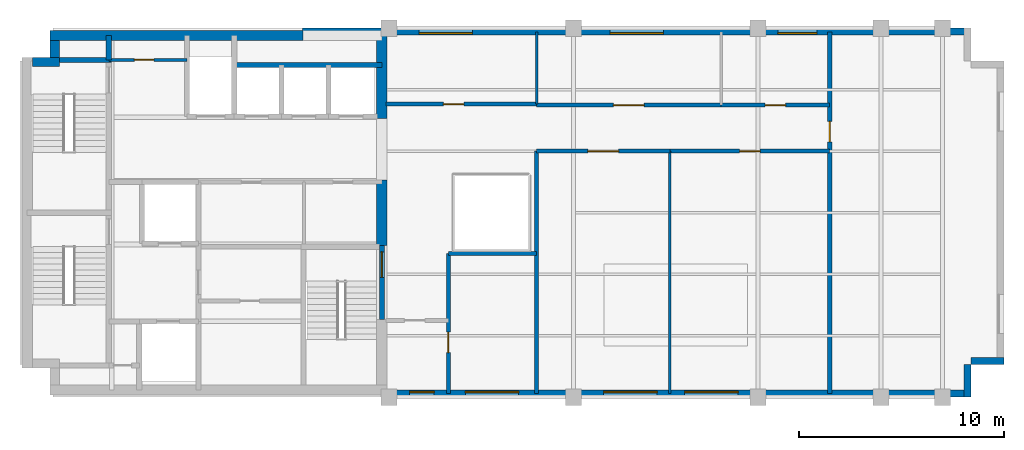
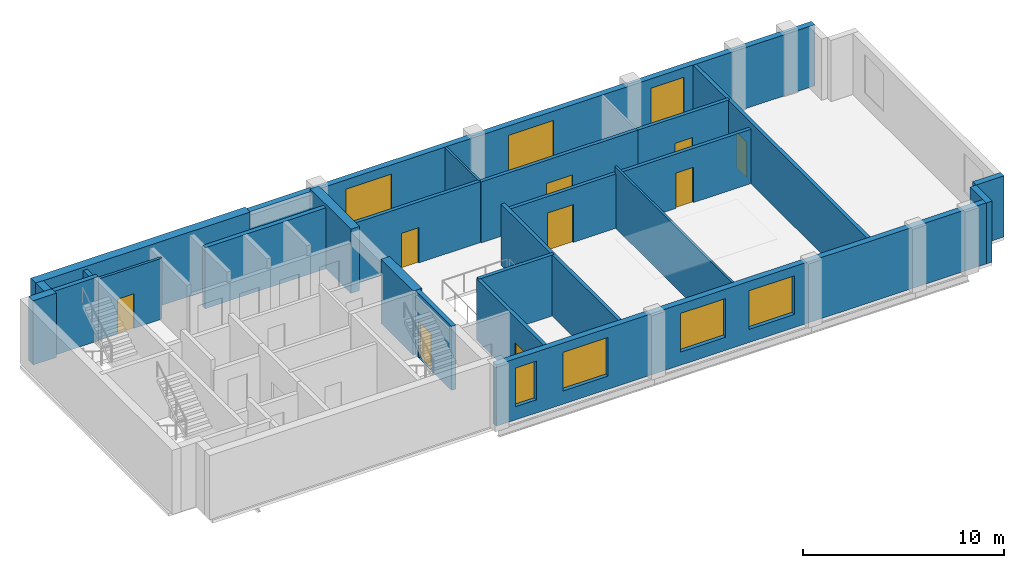
# One storey, part 3 of 5: 25 walls, 9 doors, 7 windows, 16 openings.
"""IFC4 building model written with IfcOpenShell, lengths in metres."""

import ifcopenshell
import ifcopenshell.guid

model = None  # the IFC model being written
_history = None  # IfcOwnerHistory: only IFC2X3 demands one
_inside = {}  # id of a spatial element -> (the spatial element, [elements in it])
_under = {}  # id of a project, library or spatial element -> (it, [spatial elements below it])
_declared = {}  # id of a project -> (the project, [libraries it declares])
_typed = {}  # id of a type object -> (the type object, [elements of that type])
_made_of = {}  # id of a material, layer set ... -> (it, [elements and type objects made of it])


def new_model(schema):
    """Start an empty IFC model of exactly this schema.

    Asked for "IFC4X3", IfcOpenShell would pick the latest addendum, in which some entities
    have other attributes; the version numbers below select the first issue.
    IFC2X3 requires an IfcOwnerHistory on every rooted entity: one is made here for all.
    """
    global model, _history
    if schema == "IFC4X3":
        model = ifcopenshell.file(schema_version=(4, 3, 0, 0))
    else:
        model = ifcopenshell.file(schema=schema)
    _inside.clear()
    _under.clear()
    _declared.clear()
    _typed.clear()
    _made_of.clear()
    _history = None
    if model.schema == "IFC2X3":
        org = make("IfcOrganization", Name="unknown")
        user = make(
            "IfcPersonAndOrganization",
            ThePerson=make("IfcPerson", FamilyName="unknown"),
            TheOrganization=org,
        )
        app = make(
            "IfcApplication",
            ApplicationDeveloper=org,
            Version="unknown",
            ApplicationFullName="unknown",
            ApplicationIdentifier="unknown",
        )
        _history = make(
            "IfcOwnerHistory",
            OwningUser=user,
            OwningApplication=app,
            ChangeAction="ADDED",
            CreationDate=0,
        )
    return model


def make(cls, **values):
    """One entity of the class cls with the attributes given. An attribute that is None is left unset."""
    return model.create_entity(
        cls, **{name: value for name, value in values.items() if value is not None}
    )


def rooted(cls, **values):
    """An entity with a GlobalId (a new one), such as an element, a storey or a relation."""
    return make(cls, GlobalId=ifcopenshell.guid.new(), OwnerHistory=_history, **values)


def si_unit(unit_type, name, prefix=None):
    """IfcSIUnit, for example si_unit("LENGTHUNIT", "METRE", prefix="MILLI")."""
    return make("IfcSIUnit", UnitType=unit_type, Prefix=prefix, Name=name)


def assignment(units):
    """IfcUnitAssignment: the units of a project."""
    return None if units is None else make("IfcUnitAssignment", Units=units)


def point(xyz):
    """IfcCartesianPoint."""
    return None if xyz is None else make("IfcCartesianPoint", Coordinates=xyz)


def direction(xyz):
    """IfcDirection."""
    return None if xyz is None else make("IfcDirection", DirectionRatios=xyz)


def frame(location, z_axis=None, x_axis=None):
    """IfcAxis2Placement3D, a coordinate frame: its origin and axes. An axis left out is left unset."""
    return make(
        "IfcAxis2Placement3D",
        Location=point(location),
        Axis=direction(z_axis),
        RefDirection=direction(x_axis),
    )


def frame_2d(location, x_axis=None):
    """IfcAxis2Placement2D, a coordinate frame in the plane: its origin and x axis."""
    return make(
        "IfcAxis2Placement2D", Location=point(location), RefDirection=direction(x_axis)
    )


def origin():
    """The frame at (0, 0, 0) with its axes left unset."""
    return frame((0.0, 0.0, 0.0))


def place(relative_to, where):
    """IfcLocalPlacement: puts the frame where relative to a parent placement (None: the world)."""
    return make(
        "IfcLocalPlacement", PlacementRelTo=relative_to, RelativePlacement=where
    )


def context(
    kind, dimensions, precision=None, world=None, true_north=None, identifier=None
):
    """IfcGeometricRepresentationContext, for example the 3D "Model" context."""
    return make(
        "IfcGeometricRepresentationContext",
        ContextIdentifier=identifier,
        ContextType=kind,
        CoordinateSpaceDimension=dimensions,
        Precision=precision,
        WorldCoordinateSystem=world,
        TrueNorth=true_north,
    )


def subcontext(parent, identifier, kind, view, scale=None):
    """IfcGeometricRepresentationSubContext, for example "Body" below "Model"."""
    return make(
        "IfcGeometricRepresentationSubContext",
        ContextIdentifier=identifier,
        ContextType=kind,
        ParentContext=parent,
        TargetScale=scale,
        TargetView=view,
    )


def project(units=None, contexts=None):
    """IfcProject with its units and contexts."""
    return rooted(
        "IfcProject",
        Name="project",
        RepresentationContexts=contexts,
        UnitsInContext=assignment(units),
    )


def spatial(cls, under=None, at=None, **own):
    """A site, building, storey or space (cls), placed at a placement, below another one or the project."""
    s = rooted(cls, ObjectPlacement=at, **own)
    if under is not None:
        _under.setdefault(under.id(), (under, []))[1].append(s)
    return s


def profile(cls, at=None, kind="AREA", **sizes):
    """A parametric profile (cls). Its sizes go by their IFC names, for example OverallWidth=200.0."""
    return make(cls, ProfileType=kind, Position=at, **sizes)


def rectangle(**sizes):
    """IfcRectangleProfileDef."""
    return profile("IfcRectangleProfileDef", **sizes)


def extrude(swept, where, along, depth):
    """IfcExtrudedAreaSolid: the profile swept, set in the frame where, extruded along a direction by depth."""
    return make(
        "IfcExtrudedAreaSolid",
        SweptArea=swept,
        Position=where,
        ExtrudedDirection=direction(along),
        Depth=depth,
    )


def shape(context_of_items, identifier, shape_type, items):
    """IfcShapeRepresentation: the items that make up one representation, for example the "Body"."""
    return make(
        "IfcShapeRepresentation",
        ContextOfItems=context_of_items,
        RepresentationIdentifier=identifier,
        RepresentationType=shape_type,
        Items=items,
    )


def material(Name=None, Category=None):
    """IfcMaterial."""
    return make("IfcMaterial", Name=Name, Category=Category)


def layer(
    of_material, thickness, ventilated=None, Name=None, Category=None, Priority=None
):
    """IfcMaterialLayer: one layer of a wall or slab, of a material (None: an air gap)."""
    return make(
        "IfcMaterialLayer",
        Material=of_material,
        LayerThickness=thickness,
        IsVentilated=ventilated,
        Name=Name,
        Category=Category,
        Priority=Priority,
    )


def layer_set(layers, Name=None):
    """IfcMaterialLayerSet."""
    return make("IfcMaterialLayerSet", MaterialLayers=layers, LayerSetName=Name)


def made_of(thing, what):
    """Note that an element or type object is made of a material, layer set ...; save() writes the relation."""
    if what is not None:
        _made_of.setdefault(what.id(), (what, []))[1].append(thing)
    return thing


def type_object(cls, material=None, **own):
    """A type object (cls), such as IfcWallType, which elements share."""
    return made_of(rooted(cls, **own), material)


def element(
    cls,
    number,
    at=None,
    inside=None,
    cuts=None,
    type_object=None,
    material=None,
    context=None,
    identifier="Body",
    shape_type=None,
    held_by="IfcProductDefinitionShape",
    body=None,
    shapes=None,
    **own,
):
    """One element of the class cls, such as IfcWall. Its Tag is "e" and its number.

    at: its placement. inside: the storey or other place that contains it. cuts: it is an
    opening in that element (IfcRelVoidsElement). A single representation is given by context,
    identifier, shape_type and body (its items); several are given by shapes. held_by: the class
    of the entity that holds the representations. save() writes the other relations.
    """
    e = rooted(cls, Tag="e%d" % number, ObjectPlacement=at, **own)
    if body is not None:
        shapes = [shape(context, identifier, shape_type, body)]
    if shapes is not None:
        e.Representation = make(held_by, Representations=shapes)
    if inside is not None:
        _inside.setdefault(inside.id(), (inside, []))[1].append(e)
    if cuts is not None:
        rooted(
            "IfcRelVoidsElement", RelatingBuildingElement=cuts, RelatedOpeningElement=e
        )
    if type_object is not None:
        _typed.setdefault(type_object.id(), (type_object, []))[1].append(e)
    return made_of(e, material)


def fill(opening, filler):
    """IfcRelFillsElement: the door or window that sits in an opening."""
    return rooted(
        "IfcRelFillsElement",
        RelatingOpeningElement=opening,
        RelatedBuildingElement=filler,
    )


def aggregate(whole, parts):
    """IfcRelAggregates: a whole, such as a stair, and the parts it consists of."""
    return rooted("IfcRelAggregates", RelatingObject=whole, RelatedObjects=parts)


def save(model, path):
    """Write the relations noted so far, then the file.

    IfcRelAggregates (storeys below a building ...), IfcRelContainedInSpatialStructure (elements
    in a storey), IfcRelDefinesByType, IfcRelAssociatesMaterial and IfcRelDeclares: one each for
    every whole, place, type object, material and project.
    """
    for whole, parts in _under.values():
        aggregate(whole, parts)
    for where, things in _inside.values():
        rooted(
            "IfcRelContainedInSpatialStructure",
            RelatedElements=things,
            RelatingStructure=where,
        )
    for kind, things in _typed.values():
        rooted("IfcRelDefinesByType", RelatedObjects=things, RelatingType=kind)
    for what, things in _made_of.values():
        rooted("IfcRelAssociatesMaterial", RelatedObjects=things, RelatingMaterial=what)
    for by, libraries in _declared.values():
        rooted("IfcRelDeclares", RelatingContext=by, RelatedDefinitions=libraries)
    model.write(path)


model = new_model("IFC4")

# Units and contexts
model_context = context("Model", 3, precision=1e-05, world=origin(), true_north=direction((0.0, 1.0)))
body_context = subcontext(model_context, "Body", "Model", "MODEL_VIEW")
ifc_project = project(units=[si_unit("LENGTHUNIT", "METRE"), si_unit("AREAUNIT", "SQUARE_METRE"), si_unit("VOLUMEUNIT", "CUBIC_METRE"), si_unit("PLANEANGLEUNIT", "RADIAN"), si_unit("MASSUNIT", "GRAM", prefix="KILO")], contexts=[model_context])

# Site, building, storey
site_placement = place(None, origin())
site = spatial("IfcSite", under=ifc_project, at=site_placement, CompositionType="ELEMENT")
building_placement = place(site_placement, origin())
building = spatial("IfcBuilding", under=site, at=building_placement, Name="Mawjdan Bourse Tower", CompositionType="ELEMENT")
storey_placement = place(building_placement, frame((0.0, 0.0, 274.199951171875)))
storey = spatial("IfcBuildingStorey", under=building, at=storey_placement, Name="L67", CompositionType="ELEMENT", Elevation=274.199951171875)

# Wall, openings, windows
ifc_material_1 = material(Name="Brick Masonry Buff", Category="masonry")
ifc_layer_1 = layer(ifc_material_1, 0.340087890625)
ifc_layer_set_1 = layer_set([ifc_layer_1], Name="Brick Masonry Buff")
wall_type_1 = type_object("IfcWallType", Name="WL-BRK-SPN-340", PredefinedType="STANDARD", material=ifc_layer_set_1)
wall_1_placement = place(storey_placement, frame((23.89990234375, 3.169921875, 0.0), z_axis=(0.0, 0.0, 1.0), x_axis=(1.0, 0.0, 0.0)))
wall_1 = element("IfcWall", 1, at=wall_1_placement, inside=storey, type_object=wall_type_1, Name="L67 Exterior Brick Wall 1", PredefinedType="STANDARD", context=body_context, shape_type="SweptSolid", body=[
    extrude(rectangle(XDim=28.5, YDim=0.340087890625, at=frame_2d((14.25, 0.0))), origin(), (0.0, 0.0, 1.0), 3.715087890625),
])
opening_1_placement = place(wall_1_placement, frame((10.574951171875, 0.0, 0.800048828125)))
opening_1 = element("IfcOpeningElement", 2, at=opening_1_placement, cuts=wall_1, Name="Opening W-L67-01", PredefinedType="OPENING", context=body_context, shape_type="SweptSolid", body=[
    extrude(rectangle(XDim=2.60009765625, YDim=2.35009765625, at=frame_2d((1.300048828125, 1.175048828125))), frame((0.0, 0.18017578125, 0.0), z_axis=(0.0, -1.0, 0.0), x_axis=(1.0, 0.0, 0.0)), (0.0, 0.0, 1.0), 0.360107421875),
])
opening_2_placement = place(wall_1_placement, frame((1.10009765625, 0.0, 0.800048828125)))
opening_2 = element("IfcOpeningElement", 3, at=opening_2_placement, cuts=wall_1, Name="Opening W-L67-06", PredefinedType="OPENING", context=body_context, shape_type="SweptSolid", body=[
    extrude(rectangle(XDim=1.199951171875, YDim=2.35009765625, at=frame_2d((0.60009765625, 1.175048828125))), frame((0.0, 0.18017578125, 0.0), z_axis=(0.0, -1.0, 0.0), x_axis=(1.0, 0.0, 0.0)), (0.0, 0.0, 1.0), 0.360107421875),
])
opening_3_placement = place(wall_1_placement, frame((3.82568359375, 0.0, 0.800048828125)))
opening_3 = element("IfcOpeningElement", 4, at=opening_3_placement, cuts=wall_1, Name="Opening W-L67-07", PredefinedType="OPENING", context=body_context, shape_type="SweptSolid", body=[
    extrude(rectangle(XDim=2.60009765625, YDim=2.35009765625, at=frame_2d((1.300048828125, 1.175048828125))), frame((0.0, 0.18017578125, 0.0), z_axis=(0.0, -1.0, 0.0), x_axis=(1.0, 0.0, 0.0)), (0.0, 0.0, 1.0), 0.360107421875),
])
opening_4_placement = place(wall_1_placement, frame((14.52490234375, 0.0, 0.800048828125)))
opening_4 = element("IfcOpeningElement", 5, at=opening_4_placement, cuts=wall_1, Name="Opening W-L67-08", PredefinedType="OPENING", context=body_context, shape_type="SweptSolid", body=[
    extrude(rectangle(XDim=2.60009765625, YDim=2.35009765625, at=frame_2d((1.300048828125, 1.175048828125))), frame((0.0, 0.18017578125, 0.0), z_axis=(0.0, -1.0, 0.0), x_axis=(1.0, 0.0, 0.0)), (0.0, 0.0, 1.0), 0.360107421875),
])
ifc_material_2 = material(Name="Solar-Control Clear Double Glazing", Category="glass")
window_type_1 = type_object("IfcWindowType", Name="WN-SMT-1200", PartitioningType="SINGLE_PANEL", PredefinedType="WINDOW", material=ifc_material_2)
window_1_placement = place(opening_2_placement, origin())
window_1 = element("IfcWindow", 6, at=window_1_placement, inside=storey, type_object=window_type_1, Name="L67 Deep-Set Masonry Window W-L67-06", OverallHeight=2.35009765625, OverallWidth=1.199951171875, PartitioningType="SINGLE_PANEL", PredefinedType="WINDOW", context=body_context, shape_type="SweptSolid", body=[
    extrude(rectangle(XDim=1.199951171875, YDim=2.35009765625, at=frame_2d((0.60009765625, 1.175048828125))), frame((0.0, 0.110107421875, 0.0), z_axis=(0.0, -1.0, 0.0), x_axis=(1.0, 0.0, 0.0)), (0.0, 0.0, 1.0), 0.06005859375),
])
fill(opening_2, window_1)
window_type_2 = type_object("IfcWindowType", Name="WN-SMT-2600", PartitioningType="SINGLE_PANEL", PredefinedType="WINDOW", material=ifc_material_2)
window_2_placement = place(opening_1_placement, origin())
window_2 = element("IfcWindow", 7, at=window_2_placement, inside=storey, type_object=window_type_2, Name="L67 Deep-Set Masonry Window W-L67-01", OverallHeight=2.35009765625, OverallWidth=2.60009765625, PartitioningType="SINGLE_PANEL", PredefinedType="WINDOW", context=body_context, shape_type="SweptSolid", body=[
    extrude(rectangle(XDim=2.60009765625, YDim=2.35009765625, at=frame_2d((1.300048828125, 1.175048828125))), frame((0.0, 0.110107421875, 0.0), z_axis=(0.0, -1.0, 0.0), x_axis=(1.0, 0.0, 0.0)), (0.0, 0.0, 1.0), 0.06005859375),
])
fill(opening_1, window_2)
window_3_placement = place(opening_3_placement, origin())
window_3 = element("IfcWindow", 8, at=window_3_placement, inside=storey, type_object=window_type_2, Name="L67 Deep-Set Masonry Window W-L67-07", OverallHeight=2.35009765625, OverallWidth=2.60009765625, PartitioningType="SINGLE_PANEL", PredefinedType="WINDOW", context=body_context, shape_type="SweptSolid", body=[
    extrude(rectangle(XDim=2.60009765625, YDim=2.35009765625, at=frame_2d((1.300048828125, 1.175048828125))), frame((0.0, 0.110107421875, 0.0), z_axis=(0.0, -1.0, 0.0), x_axis=(1.0, 0.0, 0.0)), (0.0, 0.0, 1.0), 0.06005859375),
])
fill(opening_3, window_3)
window_4_placement = place(opening_4_placement, origin())
window_4 = element("IfcWindow", 9, at=window_4_placement, inside=storey, type_object=window_type_2, Name="L67 Deep-Set Masonry Window W-L67-08", OverallHeight=2.35009765625, OverallWidth=2.60009765625, PartitioningType="SINGLE_PANEL", PredefinedType="WINDOW", context=body_context, shape_type="SweptSolid", body=[
    extrude(rectangle(XDim=2.60009765625, YDim=2.35009765625, at=frame_2d((1.300048828125, 1.175048828125))), frame((0.0, 0.110107421875, 0.0), z_axis=(0.0, -1.0, 0.0), x_axis=(1.0, 0.0, 0.0)), (0.0, 0.0, 1.0), 0.06005859375),
])
fill(opening_4, window_4)

# Walls
for number, where, z_axis, x_axis, name in (
    (10, (52.22998046875, 3.0, 0.0), (0.0, 0.0, 1.0), (0.0, 1.0, 0.0), "L67 Exterior Brick Wall 2"),
    (11, (52.39990234375, 4.77001953125, 0.0), (0.0, 0.0, 1.0), (1.0, 0.0, 0.0), "L67 Exterior Brick Wall 3"),
):
    element("IfcWall", number, at=place(storey_placement, frame(where, z_axis=z_axis, x_axis=x_axis)), inside=storey, type_object=wall_type_1, Name=name, PredefinedType="STANDARD", context=body_context, shape_type="SweptSolid", body=[
        extrude(rectangle(XDim=1.60009765625, YDim=0.340087890625, at=frame_2d((0.800048828125, 0.0))), origin(), (0.0, 0.0, 1.0), 3.715087890625),
    ])

# Wall, openings, windows
wall_2_placement = place(storey_placement, frame((52.39990234375, 20.830078125, 0.0), z_axis=(0.0, 0.0, 1.0), x_axis=(-1.0, 0.0, 0.0)))
wall_2 = element("IfcWall", 12, at=wall_2_placement, inside=storey, type_object=wall_type_1, Name="L67 Exterior Brick Wall 7", PredefinedType="STANDARD", context=body_context, shape_type="SweptSolid", body=[
    extrude(rectangle(XDim=32.619873046875, YDim=0.340087890625, at=frame_2d((16.31005859375, 0.0))), origin(), (0.0, 0.0, 1.0), 3.715087890625),
])
opening_5_placement = place(wall_2_placement, frame((15.010009765625, 0.0, 0.800048828125)))
opening_5 = element("IfcOpeningElement", 13, at=opening_5_placement, cuts=wall_2, Name="Opening W-L67-04", PredefinedType="OPENING", context=body_context, shape_type="SweptSolid", body=[
    extrude(rectangle(XDim=2.60009765625, YDim=2.35009765625, at=frame_2d((1.300048828125, 1.175048828125))), frame((0.0, 0.18017578125, 0.0), z_axis=(0.0, -1.0, 0.0), x_axis=(1.0, 0.0, 0.0)), (0.0, 0.0, 1.0), 0.360107421875),
])
opening_6_placement = place(wall_2_placement, frame((24.330078125, 0.0, 0.800048828125)))
opening_6 = element("IfcOpeningElement", 14, at=opening_6_placement, cuts=wall_2, Name="Opening W-L67-05", PredefinedType="OPENING", context=body_context, shape_type="SweptSolid", body=[
    extrude(rectangle(XDim=2.60009765625, YDim=2.35009765625, at=frame_2d((1.300048828125, 1.175048828125))), frame((0.0, 0.18017578125, 0.0), z_axis=(0.0, -1.0, 0.0), x_axis=(1.0, 0.0, 0.0)), (0.0, 0.0, 1.0), 0.360107421875),
])
opening_7_placement = place(wall_2_placement, frame((7.52490234375, 0.0, 0.800048828125)))
opening_7 = element("IfcOpeningElement", 15, at=opening_7_placement, cuts=wall_2, Name="Opening W-L67-09", PredefinedType="OPENING", context=body_context, shape_type="SweptSolid", body=[
    extrude(rectangle(XDim=1.89990234375, YDim=2.35009765625, at=frame_2d((0.949951171875, 1.175048828125))), frame((0.0, 0.18017578125, 0.0), z_axis=(0.0, -1.0, 0.0), x_axis=(1.0, 0.0, 0.0)), (0.0, 0.0, 1.0), 0.360107421875),
])
window_type_3 = type_object("IfcWindowType", Name="WN-SMT-1900", PartitioningType="SINGLE_PANEL", PredefinedType="WINDOW", material=ifc_material_2)
window_5_placement = place(opening_7_placement, origin())
window_5 = element("IfcWindow", 16, at=window_5_placement, inside=storey, type_object=window_type_3, Name="L67 Deep-Set Masonry Window W-L67-09", OverallHeight=2.35009765625, OverallWidth=1.89990234375, PartitioningType="SINGLE_PANEL", PredefinedType="WINDOW", context=body_context, shape_type="SweptSolid", body=[
    extrude(rectangle(XDim=1.89990234375, YDim=2.35009765625, at=frame_2d((0.949951171875, 1.175048828125))), frame((0.0, 0.110107421875, 0.0), z_axis=(0.0, -1.0, 0.0), x_axis=(1.0, 0.0, 0.0)), (0.0, 0.0, 1.0), 0.06005859375),
])
fill(opening_7, window_5)
window_6_placement = place(opening_5_placement, origin())
window_6 = element("IfcWindow", 17, at=window_6_placement, inside=storey, type_object=window_type_2, Name="L67 Deep-Set Masonry Window W-L67-04", OverallHeight=2.35009765625, OverallWidth=2.60009765625, PartitioningType="SINGLE_PANEL", PredefinedType="WINDOW", context=body_context, shape_type="SweptSolid", body=[
    extrude(rectangle(XDim=2.60009765625, YDim=2.35009765625, at=frame_2d((1.300048828125, 1.175048828125))), frame((0.0, 0.110107421875, 0.0), z_axis=(0.0, -1.0, 0.0), x_axis=(1.0, 0.0, 0.0)), (0.0, 0.0, 1.0), 0.06005859375),
])
fill(opening_5, window_6)
window_7_placement = place(opening_6_placement, origin())
window_7 = element("IfcWindow", 18, at=window_7_placement, inside=storey, type_object=window_type_2, Name="L67 Deep-Set Masonry Window W-L67-05", OverallHeight=2.35009765625, OverallWidth=2.60009765625, PartitioningType="SINGLE_PANEL", PredefinedType="WINDOW", context=body_context, shape_type="SweptSolid", body=[
    extrude(rectangle(XDim=2.60009765625, YDim=2.35009765625, at=frame_2d((1.300048828125, 1.175048828125))), frame((0.0, 0.110107421875, 0.0), z_axis=(0.0, -1.0, 0.0), x_axis=(1.0, 0.0, 0.0)), (0.0, 0.0, 1.0), 0.06005859375),
])
fill(opening_6, window_7)

# Wall, opening, door
ifc_material_3 = material(Name="Gypsum Fireboard Assembly")
ifc_layer_2 = layer(ifc_material_3, 0.199951171875)
ifc_layer_set_2 = layer_set([ifc_layer_2], Name="Gypsum Fireboard Assembly")
wall_type_2 = type_object("IfcWallType", Name="WL-CMP-200", PredefinedType="PARTITIONING", material=ifc_layer_set_2)
wall_3_placement = place(storey_placement, frame((26.89990234375, 3.179931640625, 0.0), z_axis=(0.0, 0.0, 1.0), x_axis=(0.0, 1.0, 0.0)))
wall_3 = element("IfcWall", 19, at=wall_3_placement, inside=storey, type_object=wall_type_2, Name="L67 Summit South Atrium Suite West Wall", PredefinedType="PARTITIONING", context=body_context, shape_type="SweptSolid", body=[
    extrude(rectangle(XDim=6.820068359375, YDim=0.199951171875, at=frame_2d((3.41015625, 0.0))), origin(), (0.0, 0.0, 1.0), 3.705078125),
])
opening_8_placement = place(wall_3_placement, frame((2.0, 0.0, 0.0)))
opening_8 = element("IfcOpeningElement", 20, at=opening_8_placement, cuts=wall_3, Name="Opening D-L67-18", PredefinedType="OPENING", context=body_context, shape_type="SweptSolid", body=[
    extrude(rectangle(XDim=1.0, YDim=2.14990234375, at=frame_2d((0.5, 1.074951171875))), frame((0.0, 0.10986328125, 0.0), z_axis=(0.0, -1.0, 0.0), x_axis=(1.0, 0.0, 0.0)), (0.0, 0.0, 1.0), 0.219970703125),
])
ifc_material_4 = material(Name="Hardwood Acoustic Leaf", Category="wood")
door_type_1 = type_object("IfcDoorType", Name="DR-OFC-1000", OperationType="NOTDEFINED", PredefinedType="DOOR", material=ifc_material_4)
door_1_placement = place(opening_8_placement, origin())
door_1 = element("IfcDoor", 21, at=door_1_placement, inside=storey, type_object=door_type_1, Name="L67 Summit South Atrium Suite Door D-L67-18", OperationType="SINGLE_SWING_LEFT", OverallHeight=2.14990234375, OverallWidth=1.0, PredefinedType="DOOR", context=body_context, shape_type="SweptSolid", body=[
    extrude(rectangle(XDim=1.0, YDim=2.14990234375, at=frame_2d((0.5, 1.074951171875))), frame((0.0, 0.02490234375, 0.0), z_axis=(0.0, -1.0, 0.0), x_axis=(1.0, 0.0, 0.0)), (0.0, 0.0, 1.0), 0.050048828125),
])
fill(opening_8, door_1)

# Walls
wall_4_placement = place(storey_placement, frame((26.89990234375, 10.0, 0.0), z_axis=(0.0, 0.0, 1.0), x_axis=(1.0, 0.0, 0.0)))
element("IfcWall", 22, at=wall_4_placement, inside=storey, type_object=wall_type_2, Name="L67 Summit South Atrium Suite North Wall", PredefinedType="PARTITIONING", context=body_context, shape_type="SweptSolid", body=[
    extrude(rectangle(XDim=4.300048828125, YDim=0.199951171875, at=frame_2d((2.14990234375, 0.0))), origin(), (0.0, 0.0, 1.0), 3.705078125),
])
wall_5_placement = place(storey_placement, frame((31.199951171875, 3.179931640625, 0.0), z_axis=(0.0, 0.0, 1.0), x_axis=(0.0, 1.0, 0.0)))
element("IfcWall", 23, at=wall_5_placement, inside=storey, type_object=wall_type_2, Name="L67 Summit South Atrium Suite East Wall", PredefinedType="PARTITIONING", context=body_context, shape_type="SweptSolid", body=[
    extrude(rectangle(XDim=11.820068359375, YDim=0.199951171875, at=frame_2d((5.91015625, 0.0))), origin(), (0.0, 0.0, 1.0), 3.705078125),
])

# Wall, opening, door
wall_6_placement = place(storey_placement, frame((23.85009765625, 17.300048828125, 0.0), z_axis=(0.0, 0.0, 1.0), x_axis=(1.0, 0.0, 0.0)))
wall_6 = element("IfcWall", 24, at=wall_6_placement, inside=storey, type_object=wall_type_2, Name="L67 Summit Throat North Wall", PredefinedType="PARTITIONING", context=body_context, shape_type="SweptSolid", body=[
    extrude(rectangle(XDim=7.349853515625, YDim=0.199951171875, at=frame_2d((3.6748046875, 0.0))), origin(), (0.0, 0.0, 1.0), 3.705078125),
])
opening_9_placement = place(wall_6_placement, frame((2.800048828125, 0.0, 0.0)))
opening_9 = element("IfcOpeningElement", 25, at=opening_9_placement, cuts=wall_6, Name="Opening D-L67-19", PredefinedType="OPENING", context=body_context, shape_type="SweptSolid", body=[
    extrude(rectangle(XDim=1.0, YDim=2.14990234375, at=frame_2d((0.5, 1.074951171875))), frame((0.0, 0.10986328125, 0.0), z_axis=(0.0, -1.0, 0.0), x_axis=(1.0, 0.0, 0.0)), (0.0, 0.0, 1.0), 0.219970703125),
])
door_2_placement = place(opening_9_placement, origin())
door_2 = element("IfcDoor", 26, at=door_2_placement, inside=storey, type_object=door_type_1, Name="L67 Summit Throat North Room Door D-L67-19", OperationType="SINGLE_SWING_RIGHT", OverallHeight=2.14990234375, OverallWidth=1.0, PredefinedType="DOOR", context=body_context, shape_type="SweptSolid", body=[
    extrude(rectangle(XDim=1.0, YDim=2.14990234375, at=frame_2d((0.5, 1.074951171875))), frame((0.0, 0.02490234375, 0.0), z_axis=(0.0, -1.0, 0.0), x_axis=(1.0, 0.0, 0.0)), (0.0, 0.0, 1.0), 0.050048828125),
])
fill(opening_9, door_2)

wall_7_placement = place(storey_placement, frame((31.199951171875, 15.0, 0.0), z_axis=(0.0, 0.0, 1.0), x_axis=(1.0, 0.0, 0.0)))
wall_7 = element("IfcWall", 27, at=wall_7_placement, inside=storey, type_object=wall_type_2, Name="L67 Board of Governors Chamber Corridor Wall", PredefinedType="PARTITIONING", context=body_context, shape_type="SweptSolid", body=[
    extrude(rectangle(XDim=6.5, YDim=0.199951171875, at=frame_2d((3.25, 0.0))), origin(), (0.0, 0.0, 1.0), 3.301025390625),
])
opening_10_placement = place(wall_7_placement, frame((2.5, 0.0, 0.0)))
opening_10 = element("IfcOpeningElement", 28, at=opening_10_placement, cuts=wall_7, Name="Opening D-L67-20", PredefinedType="OPENING", context=body_context, shape_type="SweptSolid", body=[
    extrude(rectangle(XDim=1.5, YDim=2.300048828125, at=frame_2d((0.75, 1.14990234375))), frame((0.0, 0.10986328125, 0.0), z_axis=(0.0, -1.0, 0.0), x_axis=(1.0, 0.0, 0.0)), (0.0, 0.0, 1.0), 0.219970703125),
])
ifc_material_5 = material(Name="Acoustic Glazed Timber", Category="wood")
door_type_2 = type_object("IfcDoorType", Name="DR-CNF-1500", OperationType="DOUBLE_DOOR_SINGLE_SWING", PredefinedType="DOOR", material=ifc_material_5)
door_3_placement = place(opening_10_placement, origin())
door_3 = element("IfcDoor", 29, at=door_3_placement, inside=storey, type_object=door_type_2, Name="L67 Board of Governors Chamber Door D-L67-20", OperationType="DOUBLE_DOOR_SINGLE_SWING", OverallHeight=2.300048828125, OverallWidth=1.5, PredefinedType="DOOR", context=body_context, shape_type="SweptSolid", body=[
    extrude(rectangle(XDim=1.5, YDim=2.300048828125, at=frame_2d((0.75, 1.14990234375))), frame((0.0, 0.02490234375, 0.0), z_axis=(0.0, -1.0, 0.0), x_axis=(1.0, 0.0, 0.0)), (0.0, 0.0, 1.0), 0.050048828125),
])
fill(opening_10, door_3)

wall_8_placement = place(storey_placement, frame((37.699951171875, 15.0, 0.0), z_axis=(0.0, 0.0, 1.0), x_axis=(1.0, 0.0, 0.0)))
wall_8 = element("IfcWall", 30, at=wall_8_placement, inside=storey, type_object=wall_type_2, Name="L67 Executive Office Corridor Wall", PredefinedType="PARTITIONING", context=body_context, shape_type="SweptSolid", body=[
    extrude(rectangle(XDim=7.800048828125, YDim=0.199951171875, at=frame_2d((3.89990234375, 0.0))), origin(), (0.0, 0.0, 1.0), 3.301025390625),
])
opening_11_placement = place(wall_8_placement, frame((3.39990234375, 0.0, 0.0)))
opening_11 = element("IfcOpeningElement", 31, at=opening_11_placement, cuts=wall_8, Name="Opening D-L67-21", PredefinedType="OPENING", context=body_context, shape_type="SweptSolid", body=[
    extrude(rectangle(XDim=1.0, YDim=2.14990234375, at=frame_2d((0.5, 1.074951171875))), frame((0.0, 0.10986328125, 0.0), z_axis=(0.0, -1.0, 0.0), x_axis=(1.0, 0.0, 0.0)), (0.0, 0.0, 1.0), 0.219970703125),
])
door_4_placement = place(opening_11_placement, origin())
door_4 = element("IfcDoor", 32, at=door_4_placement, inside=storey, type_object=door_type_1, Name="L67 Executive Office Door D-L67-21", OperationType="SINGLE_SWING_LEFT", OverallHeight=2.14990234375, OverallWidth=1.0, PredefinedType="DOOR", context=body_context, shape_type="SweptSolid", body=[
    extrude(rectangle(XDim=1.0, YDim=2.14990234375, at=frame_2d((0.5, 1.074951171875))), frame((0.0, 0.02490234375, 0.0), z_axis=(0.0, -1.0, 0.0), x_axis=(1.0, 0.0, 0.0)), (0.0, 0.0, 1.0), 0.050048828125),
])
fill(opening_11, door_4)

wall_9_placement = place(storey_placement, frame((31.199951171875, 17.25, 0.0), z_axis=(0.0, 0.0, 1.0), x_axis=(1.0, 0.0, 0.0)))
wall_9 = element("IfcWall", 33, at=wall_9_placement, inside=storey, type_object=wall_type_2, Name="L67 Conference Room Corridor Wall", PredefinedType="PARTITIONING", context=body_context, shape_type="SweptSolid", body=[
    extrude(rectangle(XDim=9.0, YDim=0.199951171875, at=frame_2d((4.5, 0.0))), origin(), (0.0, 0.0, 1.0), 3.705078125),
])
opening_12_placement = place(wall_9_placement, frame((3.75, 0.0, 0.0)))
opening_12 = element("IfcOpeningElement", 34, at=opening_12_placement, cuts=wall_9, Name="Opening D-L67-22", PredefinedType="OPENING", context=body_context, shape_type="SweptSolid", body=[
    extrude(rectangle(XDim=1.5, YDim=2.300048828125, at=frame_2d((0.75, 1.14990234375))), frame((0.0, 0.10986328125, 0.0), z_axis=(0.0, -1.0, 0.0), x_axis=(1.0, 0.0, 0.0)), (0.0, 0.0, 1.0), 0.219970703125),
])
door_5_placement = place(opening_12_placement, origin())
door_5 = element("IfcDoor", 35, at=door_5_placement, inside=storey, type_object=door_type_2, Name="L67 Conference Room Door D-L67-22", OperationType="DOUBLE_DOOR_SINGLE_SWING", OverallHeight=2.300048828125, OverallWidth=1.5, PredefinedType="DOOR", context=body_context, shape_type="SweptSolid", body=[
    extrude(rectangle(XDim=1.5, YDim=2.300048828125, at=frame_2d((0.75, 1.14990234375))), frame((0.0, 0.02490234375, 0.0), z_axis=(0.0, -1.0, 0.0), x_axis=(1.0, 0.0, 0.0)), (0.0, 0.0, 1.0), 0.050048828125),
])
fill(opening_12, door_5)

wall_10_placement = place(storey_placement, frame((40.199951171875, 17.25, 0.0), z_axis=(0.0, 0.0, 1.0), x_axis=(1.0, 0.0, 0.0)))
wall_10 = element("IfcWall", 36, at=wall_10_placement, inside=storey, type_object=wall_type_2, Name="L67 General Counsel Office Corridor Wall", PredefinedType="PARTITIONING", context=body_context, shape_type="SweptSolid", body=[
    extrude(rectangle(XDim=5.300048828125, YDim=0.199951171875, at=frame_2d((2.64990234375, 0.0))), origin(), (0.0, 0.0, 1.0), 3.705078125),
])
opening_13_placement = place(wall_10_placement, frame((2.14990234375, 0.0, 0.0)))
opening_13 = element("IfcOpeningElement", 37, at=opening_13_placement, cuts=wall_10, Name="Opening D-L67-23", PredefinedType="OPENING", context=body_context, shape_type="SweptSolid", body=[
    extrude(rectangle(XDim=1.0, YDim=2.14990234375, at=frame_2d((0.5, 1.074951171875))), frame((0.0, 0.10986328125, 0.0), z_axis=(0.0, -1.0, 0.0), x_axis=(1.0, 0.0, 0.0)), (0.0, 0.0, 1.0), 0.219970703125),
])
door_6_placement = place(opening_13_placement, origin())
door_6 = element("IfcDoor", 38, at=door_6_placement, inside=storey, type_object=door_type_1, Name="L67 General Counsel Office Door D-L67-23", OperationType="SINGLE_SWING_RIGHT", OverallHeight=2.14990234375, OverallWidth=1.0, PredefinedType="DOOR", context=body_context, shape_type="SweptSolid", body=[
    extrude(rectangle(XDim=1.0, YDim=2.14990234375, at=frame_2d((0.5, 1.074951171875))), frame((0.0, 0.02490234375, 0.0), z_axis=(0.0, -1.0, 0.0), x_axis=(1.0, 0.0, 0.0)), (0.0, 0.0, 1.0), 0.050048828125),
])
fill(opening_13, door_6)

wall_11_placement = place(storey_placement, frame((45.5, 3.179931640625, 0.0), z_axis=(0.0, 0.0, 1.0), x_axis=(0.0, 1.0, 0.0)))
wall_11 = element("IfcWall", 39, at=wall_11_placement, inside=storey, type_object=wall_type_2, Name="L67 East Tip Full Cross Wall", PredefinedType="PARTITIONING", context=body_context, shape_type="SweptSolid", body=[
    extrude(rectangle(XDim=17.64013671875, YDim=0.199951171875, at=frame_2d((8.820068359375, 0.0))), origin(), (0.0, 0.0, 1.0), 3.705078125),
])
opening_14_placement = place(wall_11_placement, frame((12.27490234375, 0.0, 0.0)))
opening_14 = element("IfcOpeningElement", 40, at=opening_14_placement, cuts=wall_11, Name="Opening D-L67-24", PredefinedType="OPENING", context=body_context, shape_type="SweptSolid", body=[
    extrude(rectangle(XDim=1.0, YDim=2.14990234375, at=frame_2d((0.5, 1.074951171875))), frame((0.0, 0.10986328125, 0.0), z_axis=(0.0, -1.0, 0.0), x_axis=(1.0, 0.0, 0.0)), (0.0, 0.0, 1.0), 0.219970703125),
])
door_7_placement = place(opening_14_placement, origin())
door_7 = element("IfcDoor", 41, at=door_7_placement, inside=storey, type_object=door_type_1, Name="L67 East Tip Hall Door D-L67-24", OperationType="SINGLE_SWING_LEFT", OverallHeight=2.14990234375, OverallWidth=1.0, PredefinedType="DOOR", context=body_context, shape_type="SweptSolid", body=[
    extrude(rectangle(XDim=1.0, YDim=2.14990234375, at=frame_2d((0.5, 1.074951171875))), frame((0.0, 0.02490234375, 0.0), z_axis=(0.0, -1.0, 0.0), x_axis=(1.0, 0.0, 0.0)), (0.0, 0.0, 1.0), 0.050048828125),
])
fill(opening_14, door_7)

# Walls
ifc_material_6 = material(Name="Concrete C60/75", Category="concrete")
ifc_layer_3 = layer(ifc_material_6, 0.449951171875)
ifc_layer_set_3 = layer_set([ifc_layer_3], Name="Concrete C60/75")
wall_type_3 = type_object("IfcWallType", Name="WL-CORE-450", PredefinedType="SHEAR", material=ifc_layer_set_3)
wall_12_placement = place(storey_placement, frame((6.60009765625, 19.35009765625, 0.0), z_axis=(0.0, 0.0, 1.0), x_axis=(1.0, 0.0, 0.0)))
element("IfcWall", 42, at=wall_12_placement, inside=storey, type_object=wall_type_3, Name="L67 Rear Core Shear Wall NW-X", PredefinedType="SHEAR", context=body_context, shape_type="SweptSolid", body=[
    extrude(rectangle(XDim=1.324951171875, YDim=0.449951171875, at=frame_2d((0.66259765625, 0.0))), origin(), (0.0, 0.0, 1.0), 3.900146484375),
])
wall_13_placement = place(storey_placement, frame((7.699951171875, 19.574951171875, 0.0), z_axis=(0.0, 0.0, 1.0), x_axis=(0.0, 1.0, 0.0)))
element("IfcWall", 43, at=wall_13_placement, inside=storey, type_object=wall_type_3, Name="L67 Rear Core Shear Wall NW-Y", PredefinedType="SHEAR", context=body_context, shape_type="SweptSolid", body=[
    extrude(rectangle(XDim=0.824951171875, YDim=0.449951171875, at=frame_2d((0.41259765625, 0.0))), origin(), (0.0, 0.0, 1.0), 3.900146484375),
])
ifc_layer_4 = layer(ifc_material_6, 0.5)
ifc_layer_set_4 = layer_set([ifc_layer_4], Name="Concrete C60/75")
wall_type_4 = type_object("IfcWallType", Name="WL-CORE-500", PredefinedType="SHEAR", material=ifc_layer_set_4)
wall_14_placement = place(storey_placement, frame((7.47509765625, 20.64990234375, 0.0), z_axis=(0.0, 0.0, 1.0), x_axis=(1.0, 0.0, 0.0)))
element("IfcWall", 44, at=wall_14_placement, inside=storey, type_object=wall_type_4, Name="L67 Rear Core Shear Wall N", PredefinedType="SHEAR", context=body_context, shape_type="SweptSolid", body=[
    extrude(rectangle(XDim=12.324951171875, YDim=0.5, at=frame_2d((6.16259765625, 0.0))), origin(), (0.0, 0.0, 1.0), 3.900146484375),
])
wall_15_placement = place(storey_placement, frame((23.64990234375, 10.39990234375, 0.0), z_axis=(0.0, 0.0, 1.0), x_axis=(0.0, 1.0, 0.0)))
element("IfcWall", 45, at=wall_15_placement, inside=storey, type_object=wall_type_4, Name="L67 Rear Core Shear Wall E2", PredefinedType="SHEAR", context=body_context, shape_type="SweptSolid", body=[
    extrude(rectangle(XDim=3.2001953125, YDim=0.5, at=frame_2d((1.60009765625, 0.0))), origin(), (0.0, 0.0, 1.0), 3.900146484375),
])
wall_16_placement = place(storey_placement, frame((23.64990234375, 16.60009765625, 0.0), z_axis=(0.0, 0.0, 1.0), x_axis=(0.0, 1.0, 0.0)))
element("IfcWall", 46, at=wall_16_placement, inside=storey, type_object=wall_type_4, Name="L67 Rear Core Shear Wall E3", PredefinedType="SHEAR", context=body_context, shape_type="SweptSolid", body=[
    extrude(rectangle(XDim=4.0498046875, YDim=0.5, at=frame_2d((2.02490234375, 0.0))), origin(), (0.0, 0.0, 1.0), 3.900146484375),
])
ifc_material_7 = material(Name="Gypsum Partition")
ifc_layer_5 = layer(ifc_material_7, 0.125)
ifc_layer_set_5 = layer_set([ifc_layer_5], Name="Gypsum Partition")
wall_type_5 = type_object("IfcWallType", Name="WL-PRT-125", PredefinedType="PARTITIONING", material=ifc_layer_set_5)
wall_17_placement = place(storey_placement, frame((31.199951171875, 17.300048828125, 0.0), z_axis=(0.0, 0.0, 1.0), x_axis=(0.0, 1.0, 0.0)))
element("IfcWall", 47, at=wall_17_placement, inside=storey, type_object=wall_type_5, Name="L67 Summit Throat North Return", PredefinedType="PARTITIONING", context=body_context, shape_type="SweptSolid", body=[
    extrude(rectangle(XDim=3.52001953125, YDim=0.125, at=frame_2d((1.760009765625, 0.0))), origin(), (0.0, 0.0, 1.0), 3.705078125),
])
wall_18_placement = place(storey_placement, frame((37.699951171875, 3.179931640625, 0.0), z_axis=(0.0, 0.0, 1.0), x_axis=(0.0, 1.0, 0.0)))
element("IfcWall", 48, at=wall_18_placement, inside=storey, type_object=wall_type_5, Name="L67 Executive Office Partition", PredefinedType="PARTITIONING", context=body_context, shape_type="SweptSolid", body=[
    extrude(rectangle(XDim=11.820068359375, YDim=0.125, at=frame_2d((5.91015625, 0.0))), origin(), (0.0, 0.0, 1.0), 3.705078125),
])

# Wall, opening, door
ifc_material_8 = material(Name="Gypsum Acoustic Partition")
ifc_layer_6 = layer(ifc_material_8, 0.14990234375)
ifc_layer_set_6 = layer_set([ifc_layer_6], Name="Gypsum Acoustic Partition")
wall_type_6 = type_object("IfcWallType", Name="WL-PRT-150", PredefinedType="PARTITIONING", material=ifc_layer_set_6)
wall_19_placement = place(storey_placement, frame((10.330078125, 19.449951171875, 0.0), z_axis=(0.0, 0.0, 1.0), x_axis=(1.0, 0.0, 0.0)))
wall_19 = element("IfcWall", 49, at=wall_19_placement, inside=storey, type_object=wall_type_6, Name="L67 Housekeeping South Wall", PredefinedType="PARTITIONING", context=body_context, shape_type="SweptSolid", body=[
    extrude(rectangle(XDim=3.81982421875, YDim=0.14990234375, at=frame_2d((1.909912109375, 0.0))), origin(), (0.0, 0.0, 1.0), 3.705078125),
])
opening_15_placement = place(wall_19_placement, frame((1.25, 0.0, 0.0)))
opening_15 = element("IfcOpeningElement", 50, at=opening_15_placement, cuts=wall_19, Name="Opening D-L67-16", PredefinedType="OPENING", context=body_context, shape_type="SweptSolid", body=[
    extrude(rectangle(XDim=0.949951171875, YDim=2.10009765625, at=frame_2d((0.47509765625, 1.050048828125))), frame((0.0, 0.0849609375, 0.0), z_axis=(0.0, -1.0, 0.0), x_axis=(1.0, 0.0, 0.0)), (0.0, 0.0, 1.0), 0.169921875),
])
ifc_material_9 = material(Name="Moisture-Resistant Laminate Timber", Category="wood")
door_type_3 = type_object("IfcDoorType", Name="DR-WET-0950", OperationType="NOTDEFINED", PredefinedType="DOOR", material=ifc_material_9)
door_8_placement = place(opening_15_placement, origin())
door_8 = element("IfcDoor", 51, at=door_8_placement, inside=storey, type_object=door_type_3, Name="L67 Housekeeping Closet Door D-L67-16", OperationType="SINGLE_SWING_LEFT", OverallHeight=2.10009765625, OverallWidth=0.949951171875, PredefinedType="DOOR", context=body_context, shape_type="SweptSolid", body=[
    extrude(rectangle(XDim=0.949951171875, YDim=2.10009765625, at=frame_2d((0.47509765625, 1.050048828125))), frame((0.0, 0.02490234375, 0.0), z_axis=(0.0, -1.0, 0.0), x_axis=(1.0, 0.0, 0.0)), (0.0, 0.0, 1.0), 0.050048828125),
])
fill(opening_15, door_8)

# Walls
ifc_material_10 = material(Name="Concrete C50/60", Category="concrete")
ifc_layer_7 = layer(ifc_material_10, 0.25)
ifc_layer_set_7 = layer_set([ifc_layer_7], Name="Concrete C50/60")
wall_type_7 = type_object("IfcWallType", Name="WL-SHFT-250", PredefinedType="PARTITIONING", material=ifc_layer_set_7)
wall_20_placement = place(storey_placement, frame((10.330078125, 19.449951171875, 0.0), z_axis=(0.0, 0.0, 1.0), x_axis=(0.0, 1.0, 0.0)))
element("IfcWall", 52, at=wall_20_placement, inside=storey, type_object=wall_type_7, Name="L67 NW Riser East Wall", PredefinedType="PARTITIONING", context=body_context, shape_type="SweptSolid", body=[
    extrude(rectangle(XDim=1.199951171875, YDim=0.25, at=frame_2d((0.60009765625, 0.0))), origin(), (0.0, 0.0, 1.0), 3.705078125),
])
wall_21_placement = place(storey_placement, frame((16.449951171875, 19.199951171875, 0.0), z_axis=(0.0, 0.0, 1.0), x_axis=(1.0, 0.0, 0.0)))
element("IfcWall", 53, at=wall_21_placement, inside=storey, type_object=wall_type_7, Name="L67 PH Bank North Shaft Back Wall", PredefinedType="PARTITIONING", context=body_context, shape_type="SweptSolid", body=[
    extrude(rectangle(XDim=7.199951171875, YDim=0.25, at=frame_2d((3.60009765625, 0.0))), origin(), (0.0, 0.0, 1.0), 3.705078125),
])
ifc_layer_8 = layer(ifc_material_10, 0.25)
ifc_layer_set_8 = layer_set([ifc_layer_8], Name="Concrete C50/60")
wall_type_8 = type_object("IfcWallType", Name="WL-STRW-250", PredefinedType="SHEAR", material=ifc_layer_set_8)
wall_22_placement = place(storey_placement, frame((7.699951171875, 19.449951171875, 0.0), z_axis=(0.0, 0.0, 1.0), x_axis=(1.0, 0.0, 0.0)))
element("IfcWall", 54, at=wall_22_placement, inside=storey, type_object=wall_type_8, Name="L67 Stairwell ST2 North Shaft Wall", PredefinedType="SHEAR", context=body_context, shape_type="SweptSolid", body=[
    extrude(rectangle(XDim=2.755126953125, YDim=0.25, at=frame_2d((1.37744140625, 0.0))), origin(), (0.0, 0.0, 1.0), 3.900146484375),
])

# Wall, opening, door
wall_23_placement = place(storey_placement, frame((23.64990234375, 6.800048828125, 0.0), z_axis=(0.0, 0.0, 1.0), x_axis=(0.0, 1.0, 0.0)))
wall_23 = element("IfcWall", 55, at=wall_23_placement, inside=storey, type_object=wall_type_8, Name="L67 ST7 East Shaft Wall", PredefinedType="SHEAR", context=body_context, shape_type="SweptSolid", body=[
    extrude(rectangle(XDim=3.599853515625, YDim=0.25, at=frame_2d((1.7998046875, 0.0))), origin(), (0.0, 0.0, 1.0), 3.900146484375),
])
opening_16_placement = place(wall_23_placement, frame((2.0400390625, 0.0, 0.0)))
opening_16 = element("IfcOpeningElement", 56, at=opening_16_placement, cuts=wall_23, Name="Opening SD-L67-25", PredefinedType="OPENING", context=body_context, shape_type="SweptSolid", body=[
    extrude(rectangle(XDim=1.25, YDim=2.199951171875, at=frame_2d((0.625, 1.10009765625))), frame((0.0, 0.135009765625, 0.0), z_axis=(0.0, -1.0, 0.0), x_axis=(1.0, 0.0, 0.0)), (0.0, 0.0, 1.0), 0.27001953125),
])
ifc_material_11 = material(Name="Fire-Rated Steel Leaf", Category="steel")
door_type_4 = type_object("IfcDoorType", Name="FD-ST-1250", OperationType="NOTDEFINED", PredefinedType="DOOR", material=ifc_material_11)
door_9_placement = place(opening_16_placement, origin())
door_9 = element("IfcDoor", 57, at=door_9_placement, inside=storey, type_object=door_type_4, Name="L67 Stair ST7 Fire Door SD-L67-25", OperationType="SINGLE_SWING_RIGHT", OverallHeight=2.199951171875, OverallWidth=1.25, PredefinedType="DOOR", context=body_context, shape_type="SweptSolid", body=[
    extrude(rectangle(XDim=1.25, YDim=2.199951171875, at=frame_2d((0.625, 1.10009765625))), frame((0.0, 0.02490234375, 0.0), z_axis=(0.0, -1.0, 0.0), x_axis=(1.0, 0.0, 0.0)), (0.0, 0.0, 1.0), 0.050048828125),
])
fill(opening_16, door_9)

save(model, "model.ifc")
